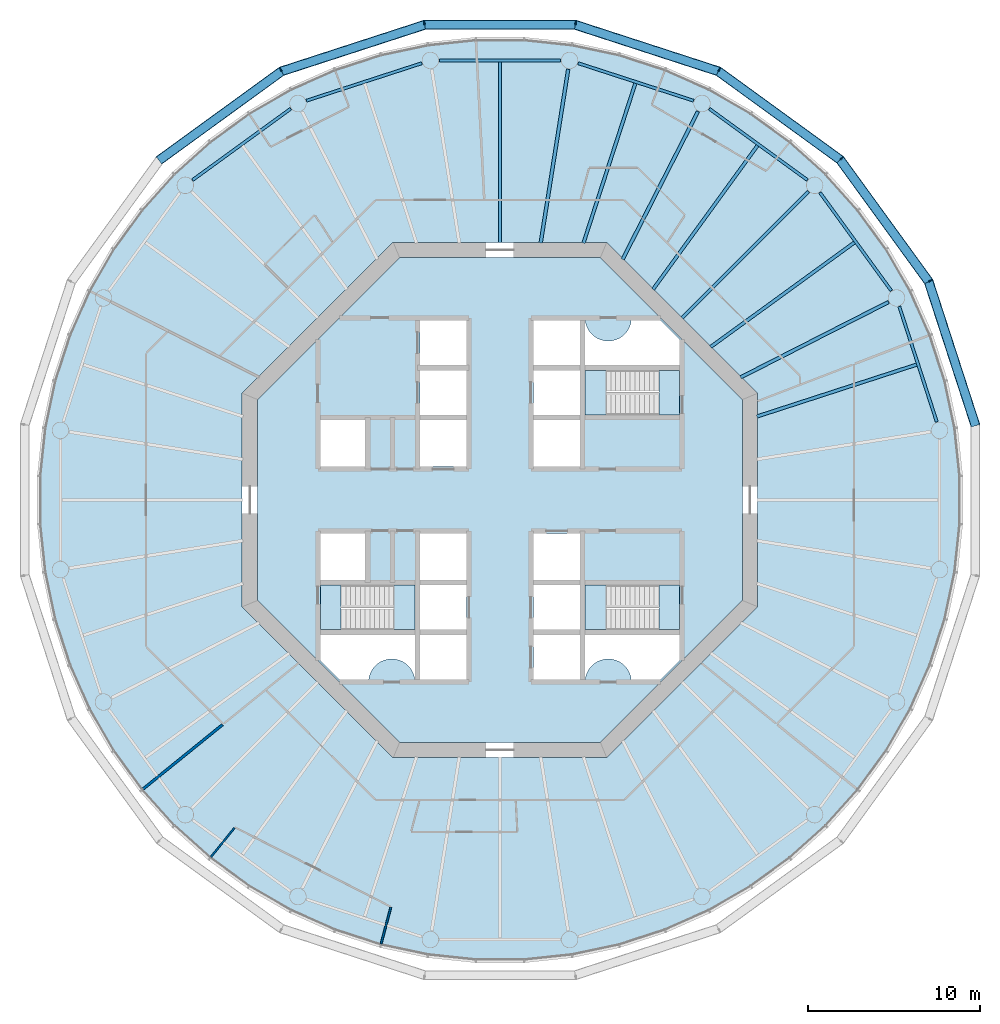
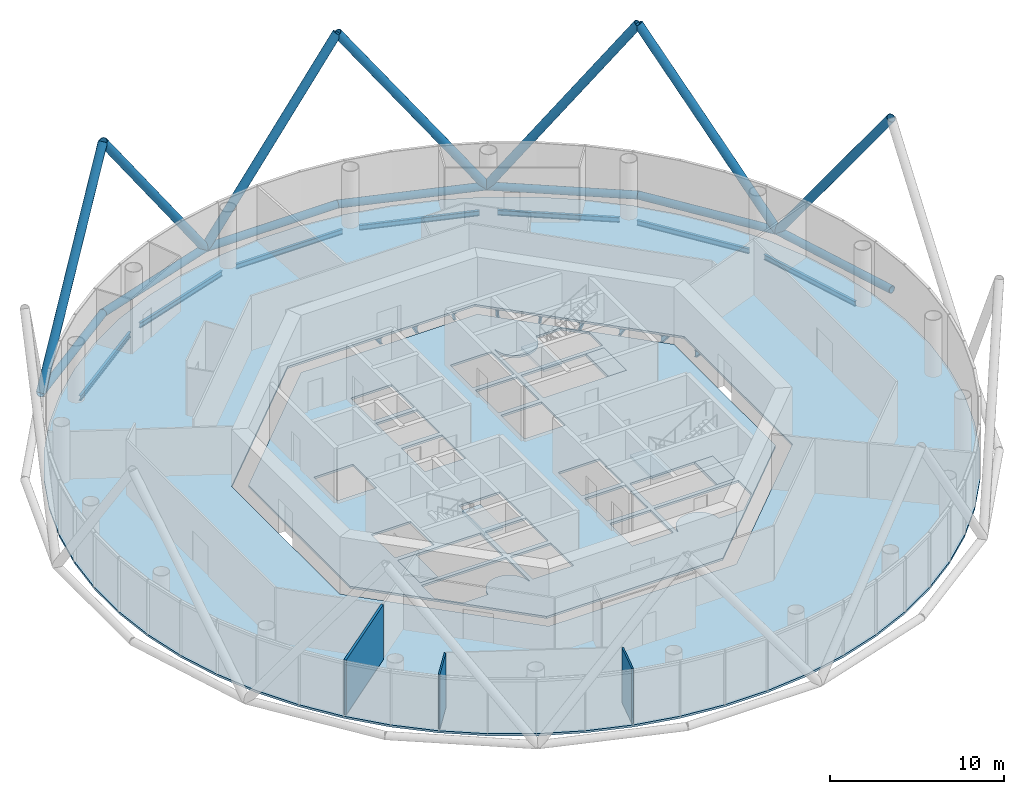
# One storey, part 2 of 12: 16 beams, 14 members, 8 slabs, 3 walls, 3 elements without a shape of their own.
"""IFC4 building model written with IfcOpenShell, lengths in metres."""

from ifc_helpers import new_model, si_unit, direction, frame, frame_2d, origin, origin_2d, place, context, subcontext, project, spatial, polyline, rectangle, circle, hollow_circle, i_section, outline, extrude, material, layer, layer_set, material_profile, profile_set, type_object, element, aggregate, save


model = new_model("IFC4")

# Units and contexts
model_context = context("Model", 3, precision=1e-05, world=origin(), true_north=direction((0.0, 1.0)))
body_context = subcontext(model_context, "Body", "Model", "MODEL_VIEW")
ifc_project = project(units=[si_unit("LENGTHUNIT", "METRE"), si_unit("AREAUNIT", "SQUARE_METRE"), si_unit("VOLUMEUNIT", "CUBIC_METRE"), si_unit("PLANEANGLEUNIT", "RADIAN"), si_unit("MASSUNIT", "GRAM", prefix="KILO")], contexts=[model_context])

# Site, building, storey
site_placement = place(None, origin())
site = spatial("IfcSite", under=ifc_project, at=site_placement, CompositionType="ELEMENT")
building_placement = place(site_placement, origin())
building = spatial("IfcBuilding", under=site, at=building_placement, Name="Entoto Ring Tower", CompositionType="ELEMENT")
storey_placement = place(building_placement, frame((0.0, 0.0, 238.0)))
storey = spatial("IfcBuildingStorey", under=building, at=storey_placement, Name="L54", CompositionType="ELEMENT", Elevation=238.0)

# Members
ifc_material_1 = material(Name="Steel S355", Category="steel")
ifc_material_profile_1 = material_profile(ifc_material_1, hollow_circle(Radius=0.279541015625, WallThickness=0.028076171875, at=origin_2d()), Name="CHS 559 x 28")
ifc_material_2 = material(Name="Concrete C60/75", Category="concrete")
ifc_material_profile_2 = material_profile(ifc_material_2, circle(Radius=0.25146484375, at=origin_2d()), Name="Concrete C60/75 infill")
ifc_profile_set_1 = profile_set([ifc_material_profile_1, ifc_material_profile_2], Name="Steel S355")
member_type_1 = type_object("IfcMemberType", Name="Diagrid diagonal 559 x 28 concrete-filled tube", PredefinedType="BRACE", material=ifc_profile_set_1)
for number, where, z_axis, x_axis, name in (
    (1, (114.9482421875, 92.711669921875, 0.0), (0.182200752594, -0.56076685453, 0.807677795049), (0.95105823263, 0.309011711991, 0.0), "DG5A module 18 01"),
    (2, (114.9482421875, 92.711669921875, 0.0), (-0.346570479178, 0.477025319356, 0.807673045022), (-0.809024012567, -0.587775592458, 0.0), "DG5A module 18 02"),
    (3, (102.711669921875, 104.9482421875, 0.0), (0.477025319356, -0.346570479178, 0.807673045022), (0.587775592458, 0.809024012567, 0.0), "DG5A module 18 03"),
    (4, (102.711669921875, 104.9482421875, 0.0), (-0.56076685453, 0.182200752594, 0.807677795049), (-0.309011711991, -0.95105823263, 0.0), "DG5A module 18 04"),
    (5, (85.619873046875, 107.6552734375, 0.0), (0.589622651769, 0.0, 0.807678852342), (0.0, 1.0, 0.0), "DG5A module 18 05"),
    (6, (85.619873046875, 107.6552734375, 0.0), (-0.56076685453, -0.182200752594, 0.807677795049), (0.309011711991, -0.95105823263, 0.0), "DG5A module 18 06"),
    (7, (70.200927734375, 99.799072265625, 0.0), (0.477025319356, 0.346570479178, 0.807673045022), (-0.587775592458, 0.809024012567, 0.0), "DG5A module 18 07"),
):
    element("IfcMember", number, at=place(storey_placement, frame(where, z_axis=z_axis, x_axis=x_axis)), inside=storey, type_object=member_type_1, Name=name, PredefinedType="BRACE", context=body_context, shape_type="SweptSolid", body=[
        extrude(hollow_circle(Radius=0.279541015625, WallThickness=0.028076171875, at=origin_2d()), origin(), (0.0, 0.0, 1.0), 14.857421875),
    ])
ifc_material_3 = material(Name="Steel S355", Category="steel")
ifc_material_profile_3 = material_profile(ifc_material_3, hollow_circle(Radius=0.25390625, WallThickness=0.030029296875, at=origin_2d()), Name="CHS 508 x 30")
ifc_material_4 = material(Name="Concrete C60/75", Category="concrete")
ifc_material_profile_4 = material_profile(ifc_material_4, circle(Radius=0.22412109375, at=origin_2d()), Name="Concrete C60/75 infill")
ifc_profile_set_2 = profile_set([ifc_material_profile_3, ifc_material_profile_4], Name="Steel S355")
member_type_2 = type_object("IfcMemberType", Name="Diagrid ring beam 508 x 30", PredefinedType="CHORD", material=ifc_profile_set_2)
for number, where, z_axis, x_axis, name in (
    (8, (114.983642578125, 92.6630859375, 0.0), (-0.587790766961, 0.809012987705, 0.0), (-0.809012987705, -0.587790766961, 0.0), "DR2 ring 17 01"),
    (9, (109.84765625, 99.763671875, 0.0), (-0.809012987705, 0.587790766961, 0.0), (-0.587790766961, -0.809012987705, 0.0), "DR2 ring 17 02"),
    (10, (102.76904296875, 104.9296875, 0.0), (-0.951061338755, 0.309002151976, 0.0), (-0.309002151976, -0.951061338755, 0.0), "DR2 ring 17 03"),
):
    element("IfcMember", number, at=place(storey_placement, frame(where, z_axis=z_axis, x_axis=x_axis)), inside=storey, type_object=member_type_2, Name=name, PredefinedType="CHORD", context=body_context, shape_type="SweptSolid", body=[
        extrude(hollow_circle(Radius=0.25390625, WallThickness=0.030029296875, at=origin_2d()), origin(), (0.0, 0.0, 1.0), 8.880615234375),
    ])
member_placement = place(storey_placement, frame((94.4404296875, 107.6552734375, 0.0), z_axis=(-1.0, 0.0, 0.0), x_axis=(0.0, -1.0, 0.0)))
element("IfcMember", 11, at=member_placement, inside=storey, type_object=member_type_2, Name="DR2 ring 17 04", PredefinedType="CHORD", context=body_context, shape_type="SweptSolid", body=[
    extrude(hollow_circle(Radius=0.25390625, WallThickness=0.030029296875, at=origin_2d()), origin(), (0.0, 0.0, 1.0), 8.880859375),
])
for number, where, z_axis, x_axis, name in (
    (12, (85.677001953125, 107.673828125, 0.0), (-0.951061338755, -0.309002151976, 0.0), (0.309002151976, -0.951061338755, 0.0), "DR2 ring 17 05"),
    (13, (77.3369140625, 104.983642578125, 0.0), (-0.809012987705, -0.587790766961, 0.0), (0.587790766961, -0.809012987705, 0.0), "DR2 ring 17 06"),
    (14, (117.673828125, 84.322998046875, 0.0), (-0.309002151976, 0.951061338755, 0.0), (-0.951061338755, -0.309002151976, 0.0), "DR2 ring 17 20"),
):
    element("IfcMember", number, at=place(storey_placement, frame(where, z_axis=z_axis, x_axis=x_axis)), inside=storey, type_object=member_type_2, Name=name, PredefinedType="CHORD", context=body_context, shape_type="SweptSolid", body=[
        extrude(hollow_circle(Radius=0.25390625, WallThickness=0.030029296875, at=origin_2d()), origin(), (0.0, 0.0, 1.0), 8.880615234375),
    ])

# Beams
ifc_material_5 = material(Name="Steel S355", Category="steel")
ifc_material_profile_5 = material_profile(ifc_material_5, i_section(OverallWidth=0.169921875, OverallDepth=0.360107421875, WebThickness=0.008056640625, FlangeThickness=0.0126953125, FilletRadius=0.01806640625, at=origin_2d()), Name="IPE 360")
ifc_profile_set_3 = profile_set([ifc_material_profile_5], Name="Steel S355")
beam_type_1 = type_object("IfcBeamType", Name="Edge beam IPE 360", PredefinedType="SPANDREL", material=ifc_profile_set_3)
for number, where, z_axis, x_axis, name in (
    (15, (115.41943359375, 84.54931640625, -0.330078125), (-0.309015666013, 0.951056947905, 0.0), (-0.951056947905, -0.309015666013, 0.0), "Edge beam L54 01"),
    (16, (112.76953125, 92.181640625, -0.330078125), (-0.587797242693, 0.809008282703, 0.0), (-0.809008282703, -0.587797242693, 0.0), "Edge beam L54 02"),
    (17, (107.890625, 98.62158203125, -0.330078125), (-0.809008282703, 0.587797242693, 0.0), (-0.587797242693, -0.809008282703, 0.0), "Edge beam L54 03"),
    (18, (101.2607421875, 103.23876953125, -0.330078125), (-0.951056947905, 0.309015666013, 0.0), (-0.309015666013, -0.951056947905, 0.0), "Edge beam L54 04"),
):
    element("IfcBeam", number, at=place(storey_placement, frame(where, z_axis=z_axis, x_axis=x_axis)), inside=storey, type_object=beam_type_1, Name=name, PredefinedType="SPANDREL", context=body_context, shape_type="SweptSolid", body=[
        extrude(i_section(OverallWidth=0.169921875, OverallDepth=0.360107421875, WebThickness=0.008056640625, FlangeThickness=0.0126953125, FilletRadius=0.01806640625, at=origin_2d()), origin(), (0.0, 0.0, 1.0), 7.056884765625),
    ])
beam_1_placement = place(storey_placement, frame((93.5283203125, 105.5810546875, -0.330078125), z_axis=(-1.0, 0.0, 0.0), x_axis=(0.0, -1.0, 0.0)))
element("IfcBeam", 19, at=beam_1_placement, inside=storey, type_object=beam_type_1, Name="Edge beam L54 05", PredefinedType="SPANDREL", context=body_context, shape_type="SweptSolid", body=[
    extrude(i_section(OverallWidth=0.169921875, OverallDepth=0.360107421875, WebThickness=0.008056640625, FlangeThickness=0.0126953125, FilletRadius=0.01806640625, at=origin_2d()), origin(), (0.0, 0.0, 1.0), 7.056640625),
])
for number, where, z_axis, x_axis, name in (
    (20, (85.45068359375, 105.41943359375, -0.330078125), (-0.951056947905, -0.309015666013, 0.0), (0.309015666013, -0.951056947905, 0.0), "Edge beam L54 06"),
    (21, (77.818359375, 102.76953125, -0.330078125), (-0.809008282703, -0.587797242693, 0.0), (0.587797242693, -0.809008282703, 0.0), "Edge beam L54 07"),
):
    element("IfcBeam", number, at=place(storey_placement, frame(where, z_axis=z_axis, x_axis=x_axis)), inside=storey, type_object=beam_type_1, Name=name, PredefinedType="SPANDREL", context=body_context, shape_type="SweptSolid", body=[
        extrude(i_section(OverallWidth=0.169921875, OverallDepth=0.360107421875, WebThickness=0.008056640625, FlangeThickness=0.0126953125, FilletRadius=0.01806640625, at=origin_2d()), origin(), (0.0, 0.0, 1.0), 7.056884765625),
    ])
ifc_material_6 = material(Name="Steel S355", Category="steel")
ifc_material_profile_6 = material_profile(ifc_material_6, i_section(OverallWidth=0.199951171875, OverallDepth=0.5, WebThickness=0.01025390625, FlangeThickness=0.01611328125, FilletRadius=0.02099609375, at=origin_2d()), Name="IPE 500")
ifc_profile_set_4 = profile_set([ifc_material_profile_6], Name="Steel S355")
beam_type_2 = type_object("IfcBeamType", Name="Primary floor beam IPE 500", PredefinedType="BEAM", material=ifc_profile_set_4)
beam_2_placement = place(storey_placement, frame((104.006103515625, 87.136474609375, -0.39990234375), z_axis=(0.891004583726, 0.453994308092, 0.0), x_axis=(-0.453994308092, 0.891004583726, 0.0)))
element("IfcBeam", 22, at=beam_2_placement, inside=storey, type_object=beam_type_2, Name="Primary L54 R02", PredefinedType="BEAM", context=body_context, shape_type="SweptSolid", body=[
    extrude(i_section(OverallWidth=0.199951171875, OverallDepth=0.5, WebThickness=0.01025390625, FlangeThickness=0.01611328125, FilletRadius=0.02099609375, at=origin_2d()), origin(), (0.0, 0.0, 1.0), 9.659912109375),
])
beam_3_placement = place(storey_placement, frame((100.592529296875, 90.592529296875, -0.39990234375), z_axis=(0.707106781187, 0.707106781187, 0.0), x_axis=(-0.707106781187, 0.707106781187, 0.0)))
element("IfcBeam", 23, at=beam_3_placement, inside=storey, type_object=beam_type_2, Name="Primary L54 R03", PredefinedType="BEAM", context=body_context, shape_type="SweptSolid", body=[
    extrude(i_section(OverallWidth=0.199951171875, OverallDepth=0.5, WebThickness=0.01025390625, FlangeThickness=0.01611328125, FilletRadius=0.02099609375, at=origin_2d()), origin(), (0.0, 0.0, 1.0), 10.399169921875),
])
beam_4_placement = place(storey_placement, frame((97.136474609375, 94.006103515625, -0.39990234375), z_axis=(0.453994308092, 0.891004583726, 0.0), x_axis=(-0.891004583726, 0.453994308092, 0.0)))
element("IfcBeam", 24, at=beam_4_placement, inside=storey, type_object=beam_type_2, Name="Primary L54 R04", PredefinedType="BEAM", context=body_context, shape_type="SweptSolid", body=[
    extrude(i_section(OverallWidth=0.199951171875, OverallDepth=0.5, WebThickness=0.01025390625, FlangeThickness=0.01611328125, FilletRadius=0.02099609375, at=origin_2d()), origin(), (0.0, 0.0, 1.0), 9.659912109375),
])
beam_5_placement = place(storey_placement, frame((92.3701171875, 94.964599609375, -0.39990234375), z_axis=(0.156439360602, 0.987687565202, 0.0), x_axis=(-0.987687565202, 0.156439360602, 0.0)))
element("IfcBeam", 25, at=beam_5_placement, inside=storey, type_object=beam_type_2, Name="Primary L54 R05", PredefinedType="BEAM", context=body_context, shape_type="SweptSolid", body=[
    extrude(i_section(OverallWidth=0.199951171875, OverallDepth=0.5, WebThickness=0.01025390625, FlangeThickness=0.01611328125, FilletRadius=0.02099609375, at=origin_2d()), origin(), (0.0, 0.0, 1.0), 10.228271484375),
])
ifc_material_7 = material(Name="Steel S355", Category="steel")
ifc_material_profile_7 = material_profile(ifc_material_7, i_section(OverallWidth=0.18994140625, OverallDepth=0.449951171875, WebThickness=0.009521484375, FlangeThickness=0.0146484375, FilletRadius=0.02099609375, at=origin_2d()), Name="IPE 450")
ifc_profile_set_5 = profile_set([ifc_material_profile_7], Name="Steel S355")
beam_type_3 = type_object("IfcBeamType", Name="Secondary floor beam IPE 450", PredefinedType="JOIST", material=ifc_profile_set_5)
beam_6_placement = place(storey_placement, frame((104.95166015625, 84.858154296875, -0.375), z_axis=(0.951061045963, 0.309003053144, 0.0), x_axis=(-0.309003053144, 0.951061045963, 0.0)))
element("IfcBeam", 26, at=beam_6_placement, inside=storey, type_object=beam_type_3, Name="Secondary beam L54 01", PredefinedType="JOIST", context=body_context, shape_type="SweptSolid", body=[
    extrude(i_section(OverallWidth=0.18994140625, OverallDepth=0.449951171875, WebThickness=0.009521484375, FlangeThickness=0.0146484375, FilletRadius=0.02099609375, at=origin_2d()), origin(), (0.0, 0.0, 1.0), 9.77490234375),
])
for number, where, z_axis, x_axis, name in (
    (27, (102.258056640625, 88.906005859375, -0.375), (0.809010538485, 0.58779413796, 0.0), (-0.58779413796, 0.809010538485, 0.0), "Secondary beam L54 02"),
    (28, (98.906005859375, 92.258056640625, -0.375), (0.58779413796, 0.809010538485, 0.0), (-0.809010538485, 0.58779413796, 0.0), "Secondary beam L54 03"),
):
    element("IfcBeam", number, at=place(storey_placement, frame(where, z_axis=z_axis, x_axis=x_axis)), inside=storey, type_object=beam_type_3, Name=name, PredefinedType="JOIST", context=body_context, shape_type="SweptSolid", body=[
        extrude(i_section(OverallWidth=0.18994140625, OverallDepth=0.449951171875, WebThickness=0.009521484375, FlangeThickness=0.0146484375, FilletRadius=0.02099609375, at=origin_2d()), origin(), (0.0, 0.0, 1.0), 10.34423828125),
    ])
beam_7_placement = place(storey_placement, frame((94.858154296875, 94.95166015625, -0.375), z_axis=(0.309003053144, 0.951061045963, 0.0), x_axis=(-0.951061045963, 0.309003053144, 0.0)))
element("IfcBeam", 29, at=beam_7_placement, inside=storey, type_object=beam_type_3, Name="Secondary beam L54 04", PredefinedType="JOIST", context=body_context, shape_type="SweptSolid", body=[
    extrude(i_section(OverallWidth=0.18994140625, OverallDepth=0.449951171875, WebThickness=0.009521484375, FlangeThickness=0.0146484375, FilletRadius=0.02099609375, at=origin_2d()), origin(), (0.0, 0.0, 1.0), 9.77490234375),
])
beam_8_placement = place(storey_placement, frame((90.0, 94.97998046875, -0.375), z_axis=(0.0, 1.0, 0.0), x_axis=(-1.0, 0.0, 0.0)))
element("IfcBeam", 30, at=beam_8_placement, inside=storey, type_object=beam_type_3, Name="Secondary beam L54 05", PredefinedType="JOIST", context=body_context, shape_type="SweptSolid", body=[
    extrude(i_section(OverallWidth=0.18994140625, OverallDepth=0.449951171875, WebThickness=0.009521484375, FlangeThickness=0.0146484375, FilletRadius=0.02099609375, at=origin_2d()), origin(), (0.0, 0.0, 1.0), 10.51611328125),
])

# Slabs
ifc_material_8 = material(Name="Concrete C30/37", Category="concrete")
ifc_layer_1 = layer(ifc_material_8, 0.14990234375)
ifc_layer_set_1 = layer_set([ifc_layer_1], Name="Concrete C30/37")
slab_type_1 = type_object("IfcSlabType", Name="Composite floor slab 150 mm", PredefinedType="FLOOR", material=ifc_layer_set_1)
slab_1_placement = place(storey_placement, frame((0.0, 0.0, -0.14990234375)))
element("IfcSlab", 31, at=slab_1_placement, inside=storey, type_object=slab_type_1, Name="Floor slab L54", PredefinedType="FLOOR", context=body_context, shape_type="SweptSolid", body=[
    extrude(outline(polyline([(116.56884765625, 84.2080078125), (115.9833984375, 86.962158203125), (115.11328125, 89.64013671875), (113.968017578125, 92.21240234375), (112.560302734375, 94.65087890625), (110.9052734375, 96.9287109375), (109.021240234375, 99.021240234375), (106.9287109375, 100.9052734375), (104.65087890625, 102.560302734375), (102.21240234375, 103.968017578125), (99.64013671875, 105.11328125), (96.962158203125, 105.9833984375), (94.2080078125, 106.56884765625), (91.407958984375, 106.863037109375), (88.592041015625, 106.863037109375), (85.7919921875, 106.56884765625), (83.037841796875, 105.9833984375), (80.35986328125, 105.11328125), (77.78759765625, 103.968017578125), (75.34912109375, 102.560302734375), (73.0712890625, 100.9052734375), (70.978759765625, 99.021240234375), (69.0947265625, 96.9287109375), (67.439697265625, 94.65087890625), (66.031982421875, 92.21240234375), (64.88671875, 89.64013671875), (64.0166015625, 86.962158203125), (63.43115234375, 84.2080078125), (63.136962890625, 81.407958984375), (63.136962890625, 78.592041015625), (63.43115234375, 75.7919921875), (64.0166015625, 73.037841796875), (64.88671875, 70.35986328125), (66.031982421875, 67.78759765625), (67.439697265625, 65.34912109375), (69.0947265625, 63.0712890625), (70.978759765625, 60.978759765625), (73.0712890625, 59.0947265625), (75.34912109375, 57.439697265625), (77.78759765625, 56.031982421875), (80.35986328125, 54.88671875), (83.037841796875, 54.0166015625), (85.7919921875, 53.43115234375), (88.592041015625, 53.136962890625), (91.407958984375, 53.136962890625), (94.2080078125, 53.43115234375), (96.962158203125, 54.0166015625), (99.64013671875, 54.88671875), (102.21240234375, 56.031982421875), (104.65087890625, 57.439697265625), (106.9287109375, 59.0947265625), (109.021240234375, 60.978759765625), (110.9052734375, 63.0712890625), (112.560302734375, 65.34912109375), (113.968017578125, 67.78759765625), (115.11328125, 70.35986328125), (115.9833984375, 73.037841796875), (116.56884765625, 75.7919921875), (116.863037109375, 78.592041015625), (116.863037109375, 81.407958984375), (116.56884765625, 84.2080078125)]), holes=[polyline([(105.0, 73.786865234375), (105.0, 86.213134765625), (96.213134765625, 95.0), (83.786865234375, 95.0), (75.0, 86.213134765625), (75.0, 73.786865234375), (83.786865234375, 65.0), (96.213134765625, 65.0), (105.0, 73.786865234375)])]), origin(), (0.0, 0.0, 1.0), 0.14990234375),
])
ifc_material_9 = material(Name="Concrete C40/50", Category="concrete")
ifc_layer_2 = layer(ifc_material_9, 0.14990234375)
ifc_layer_set_2 = layer_set([ifc_layer_2], Name="Concrete C40/50")
slab_type_2 = type_object("IfcSlabType", Name="Core floor slab 150 mm reinforced concrete C40/50", PredefinedType="FLOOR", material=ifc_layer_set_2)
slab_2_placement = place(storey_placement, frame((0.0, 0.0, -0.14990234375)))
element("IfcSlab", 32, at=slab_2_placement, inside=storey, type_object=slab_type_2, Name="Core floor L54", PredefinedType="FLOOR", context=body_context, shape_type="SweptSolid", body=[
    extrude(outline(polyline([(104.10009765625, 74.15966796875), (104.10009765625, 85.84033203125), (95.84033203125, 94.10009765625), (84.15966796875, 94.10009765625), (75.89990234375, 85.84033203125), (75.89990234375, 74.15966796875), (84.15966796875, 65.89990234375), (95.84033203125, 65.89990234375), (104.10009765625, 74.15966796875)]), holes=[polyline([(100.449951171875, 84.949951171875), (100.449951171875, 87.550048828125), (94.949951171875, 87.550048828125), (94.949951171875, 84.949951171875), (100.449951171875, 84.949951171875)]), polyline([(85.050048828125, 72.449951171875), (85.050048828125, 75.050048828125), (79.550048828125, 75.050048828125), (79.550048828125, 72.449951171875), (85.050048828125, 72.449951171875)]), polyline([(100.449951171875, 72.449951171875), (100.449951171875, 75.050048828125), (94.949951171875, 75.050048828125), (94.949951171875, 72.449951171875), (100.449951171875, 72.449951171875)]), polyline([(91.949951171875, 84.949951171875), (94.64990234375, 84.949951171875), (94.64990234375, 87.550048828125), (91.949951171875, 87.550048828125), (91.949951171875, 84.949951171875)]), polyline([(91.949951171875, 72.449951171875), (94.64990234375, 72.449951171875), (94.64990234375, 75.050048828125), (91.949951171875, 75.050048828125), (91.949951171875, 72.449951171875)]), polyline([(91.949951171875, 69.550048828125), (94.64990234375, 69.550048828125), (94.64990234375, 72.14990234375), (91.949951171875, 72.14990234375), (91.949951171875, 69.550048828125)]), polyline([(85.35009765625, 72.449951171875), (88.050048828125, 72.449951171875), (88.050048828125, 75.050048828125), (85.35009765625, 75.050048828125), (85.35009765625, 72.449951171875)]), polyline([(85.35009765625, 81.949951171875), (88.050048828125, 81.949951171875), (88.050048828125, 84.64990234375), (85.35009765625, 84.64990234375), (85.35009765625, 81.949951171875)]), polyline([(91.949951171875, 75.35009765625), (94.64990234375, 75.35009765625), (94.64990234375, 78.050048828125), (91.949951171875, 78.050048828125), (91.949951171875, 75.35009765625)]), polyline([(79.550048828125, 81.949951171875), (82.14990234375, 81.949951171875), (82.14990234375, 84.64990234375), (79.550048828125, 84.64990234375), (79.550048828125, 81.949951171875)]), polyline([(79.550048828125, 75.35009765625), (82.14990234375, 75.35009765625), (82.14990234375, 78.050048828125), (79.550048828125, 78.050048828125), (79.550048828125, 75.35009765625)]), polyline([(91.949951171875, 87.85009765625), (94.64990234375, 87.85009765625), (94.64990234375, 90.449951171875), (91.949951171875, 90.449951171875), (91.949951171875, 87.85009765625)]), polyline([(85.35009765625, 69.550048828125), (88.050048828125, 69.550048828125), (88.050048828125, 72.14990234375), (85.35009765625, 72.14990234375), (85.35009765625, 69.550048828125)]), polyline([(91.949951171875, 81.949951171875), (94.64990234375, 81.949951171875), (94.64990234375, 84.64990234375), (91.949951171875, 84.64990234375), (91.949951171875, 81.949951171875)]), polyline([(85.35009765625, 75.35009765625), (88.050048828125, 75.35009765625), (88.050048828125, 78.050048828125), (85.35009765625, 78.050048828125), (85.35009765625, 75.35009765625)]), polyline([(85.35009765625, 84.949951171875), (88.050048828125, 84.949951171875), (88.050048828125, 87.550048828125), (85.35009765625, 87.550048828125), (85.35009765625, 84.949951171875)]), polyline([(85.35009765625, 87.85009765625), (88.050048828125, 87.85009765625), (88.050048828125, 90.449951171875), (85.35009765625, 90.449951171875), (85.35009765625, 87.85009765625)]), polyline([(94.89990234375, 90.5), (94.89990234375, 87.800048828125), (100.5, 87.800048828125), (100.5, 89.299072265625), (99.299072265625, 90.5), (97.64501953125, 90.5), (97.6435546875, 90.4677734375), (97.6240234375, 90.336669921875), (97.591796875, 90.2080078125), (97.547119140625, 90.08349609375), (97.490478515625, 89.963623046875), (97.422607421875, 89.85009765625), (97.343505859375, 89.74365234375), (97.254638671875, 89.6455078125), (97.156494140625, 89.556396484375), (97.050048828125, 89.4775390625), (96.936279296875, 89.409423828125), (96.816650390625, 89.352783203125), (96.69189453125, 89.30810546875), (96.5634765625, 89.27587890625), (96.432373046875, 89.256591796875), (96.300048828125, 89.25), (96.167724609375, 89.256591796875), (96.03662109375, 89.27587890625), (95.908203125, 89.30810546875), (95.783447265625, 89.352783203125), (95.66357421875, 89.409423828125), (95.550048828125, 89.4775390625), (95.443603515625, 89.556396484375), (95.345458984375, 89.6455078125), (95.25634765625, 89.74365234375), (95.177490234375, 89.85009765625), (95.109375, 89.963623046875), (95.052734375, 90.08349609375), (95.008056640625, 90.2080078125), (94.975830078125, 90.336669921875), (94.95654296875, 90.4677734375), (94.954833984375, 90.5), (94.89990234375, 90.5)]), polyline([(79.5, 70.700927734375), (80.700927734375, 69.5), (82.35498046875, 69.5), (82.3564453125, 69.5322265625), (82.3759765625, 69.663330078125), (82.408203125, 69.7919921875), (82.452880859375, 69.91650390625), (82.509521484375, 70.036376953125), (82.577392578125, 70.14990234375), (82.656494140625, 70.25634765625), (82.745361328125, 70.3544921875), (82.843505859375, 70.443603515625), (82.949951171875, 70.5224609375), (83.063720703125, 70.590576171875), (83.183349609375, 70.647216796875), (83.30810546875, 70.69189453125), (83.4365234375, 70.72412109375), (83.567626953125, 70.743408203125), (83.699951171875, 70.75), (83.832275390625, 70.743408203125), (83.96337890625, 70.72412109375), (84.091796875, 70.69189453125), (84.216552734375, 70.647216796875), (84.33642578125, 70.590576171875), (84.449951171875, 70.5224609375), (84.556396484375, 70.443603515625), (84.654541015625, 70.3544921875), (84.74365234375, 70.25634765625), (84.822509765625, 70.14990234375), (84.890625, 70.036376953125), (84.947265625, 69.91650390625), (84.991943359375, 69.7919921875), (85.024169921875, 69.663330078125), (85.04345703125, 69.5322265625), (85.045166015625, 69.5), (85.10009765625, 69.5), (85.10009765625, 72.199951171875), (79.5, 72.199951171875), (79.5, 70.700927734375)]), polyline([(97.64501953125, 69.5), (99.299072265625, 69.5), (100.5, 70.700927734375), (100.5, 72.199951171875), (94.89990234375, 72.199951171875), (94.89990234375, 69.5), (94.954833984375, 69.5), (94.95654296875, 69.5322265625), (94.975830078125, 69.663330078125), (95.008056640625, 69.7919921875), (95.052734375, 69.91650390625), (95.109375, 70.036376953125), (95.177490234375, 70.14990234375), (95.25634765625, 70.25634765625), (95.345458984375, 70.3544921875), (95.443603515625, 70.443603515625), (95.550048828125, 70.5224609375), (95.66357421875, 70.590576171875), (95.783447265625, 70.647216796875), (95.908203125, 70.69189453125), (96.03662109375, 70.72412109375), (96.167724609375, 70.743408203125), (96.300048828125, 70.75), (96.432373046875, 70.743408203125), (96.5634765625, 70.72412109375), (96.69189453125, 70.69189453125), (96.816650390625, 70.647216796875), (96.936279296875, 70.590576171875), (97.050048828125, 70.5224609375), (97.156494140625, 70.443603515625), (97.254638671875, 70.3544921875), (97.343505859375, 70.25634765625), (97.422607421875, 70.14990234375), (97.490478515625, 70.036376953125), (97.547119140625, 69.91650390625), (97.591796875, 69.7919921875), (97.6240234375, 69.663330078125), (97.6435546875, 69.5322265625), (97.64501953125, 69.5)])]), origin(), (0.0, 0.0, 1.0), 0.14990234375),
])

# Stair, slabs
ifc_material_10 = material(Name="Concrete C40/50", Category="concrete")
stair_type = type_object("IfcStairType", Name="Exit stair 1200 mm dog-leg reinforced concrete", PredefinedType="HALF_TURN_STAIR", material=ifc_material_10)
stair_1_placement = place(storey_placement, origin())
stair_1 = element("IfcStair", 33, at=stair_1_placement, inside=storey, type_object=stair_type, Name="Exit stair 1", PredefinedType="HALF_TURN_STAIR")
ifc_material_11 = material(Name="Concrete C40/50", Category="concrete")
ifc_layer_3 = layer(ifc_material_11, 0.199951171875)
ifc_layer_set_3 = layer_set([ifc_layer_3], Name="Concrete C40/50")
slab_type_3 = type_object("IfcSlabType", Name="Stair landing 200 mm reinforced concrete", PredefinedType="LANDING", material=ifc_layer_set_3)
slab_3_placement = place(storey_placement, frame((0.0, 0.0, -0.199951171875)))
slab_3 = element("IfcSlab", 34, at=slab_3_placement, type_object=slab_type_3, Name="ST1 landing 1", PredefinedType="LANDING", context=body_context, shape_type="SweptSolid", body=[
    extrude(outline(polyline([(100.449951171875, 84.949951171875), (100.449951171875, 87.550048828125), (99.25, 87.550048828125), (99.25, 84.949951171875), (100.449951171875, 84.949951171875)])), origin(), (0.0, 0.0, 1.0), 0.199951171875),
])
slab_4_placement = place(storey_placement, frame((0.0, 0.0, 1.800048828125)))
slab_4 = element("IfcSlab", 35, at=slab_4_placement, type_object=slab_type_3, Name="ST1 landing 2", PredefinedType="LANDING", context=body_context, shape_type="SweptSolid", body=[
    extrude(outline(polyline([(94.949951171875, 84.949951171875), (96.169921875, 84.949951171875), (96.169921875, 87.550048828125), (94.949951171875, 87.550048828125), (94.949951171875, 84.949951171875)])), origin(), (0.0, 0.0, 1.0), 0.199951171875),
])
aggregate(stair_1, [slab_3, slab_4])

stair_2_placement = place(storey_placement, origin())
stair_2 = element("IfcStair", 36, at=stair_2_placement, inside=storey, type_object=stair_type, Name="Exit stair 2", PredefinedType="HALF_TURN_STAIR")
slab_5_placement = place(storey_placement, frame((0.0, 0.0, -0.199951171875)))
slab_5 = element("IfcSlab", 37, at=slab_5_placement, type_object=slab_type_3, Name="ST2 landing 1", PredefinedType="LANDING", context=body_context, shape_type="SweptSolid", body=[
    extrude(outline(polyline([(80.75, 72.449951171875), (80.75, 75.050048828125), (79.550048828125, 75.050048828125), (79.550048828125, 72.449951171875), (80.75, 72.449951171875)])), origin(), (0.0, 0.0, 1.0), 0.199951171875),
])
slab_6_placement = place(storey_placement, frame((0.0, 0.0, 1.800048828125)))
slab_6 = element("IfcSlab", 38, at=slab_6_placement, type_object=slab_type_3, Name="ST2 landing 2", PredefinedType="LANDING", context=body_context, shape_type="SweptSolid", body=[
    extrude(outline(polyline([(83.830078125, 72.449951171875), (85.050048828125, 72.449951171875), (85.050048828125, 75.050048828125), (83.830078125, 75.050048828125), (83.830078125, 72.449951171875)])), origin(), (0.0, 0.0, 1.0), 0.199951171875),
])
aggregate(stair_2, [slab_5, slab_6])

stair_3_placement = place(storey_placement, origin())
stair_3 = element("IfcStair", 39, at=stair_3_placement, inside=storey, type_object=stair_type, Name="Exit stair 3", PredefinedType="HALF_TURN_STAIR")
slab_7_placement = place(storey_placement, frame((0.0, 0.0, -0.199951171875)))
slab_7 = element("IfcSlab", 40, at=slab_7_placement, type_object=slab_type_3, Name="ST3 landing 1", PredefinedType="LANDING", context=body_context, shape_type="SweptSolid", body=[
    extrude(outline(polyline([(100.449951171875, 72.449951171875), (100.449951171875, 75.050048828125), (99.25, 75.050048828125), (99.25, 72.449951171875), (100.449951171875, 72.449951171875)])), origin(), (0.0, 0.0, 1.0), 0.199951171875),
])
slab_8_placement = place(storey_placement, frame((0.0, 0.0, 1.800048828125)))
slab_8 = element("IfcSlab", 41, at=slab_8_placement, type_object=slab_type_3, Name="ST3 landing 2", PredefinedType="LANDING", context=body_context, shape_type="SweptSolid", body=[
    extrude(outline(polyline([(94.949951171875, 72.449951171875), (96.169921875, 72.449951171875), (96.169921875, 75.050048828125), (94.949951171875, 75.050048828125), (94.949951171875, 72.449951171875)])), origin(), (0.0, 0.0, 1.0), 0.199951171875),
])
aggregate(stair_3, [slab_7, slab_8])

# Walls
ifc_material_12 = material(Name="Plasterboard on steel studs", Category="steel")
ifc_layer_4 = layer(ifc_material_12, 0.10009765625)
ifc_layer_set_4 = layer_set([ifc_layer_4], Name="Plasterboard on steel studs")
wall_type_1 = type_object("IfcWallType", Name="Partition 100 mm plasterboard on steel studs", PredefinedType="PARTITIONING", material=ifc_layer_set_4)
for number, where, z_axis, x_axis, name in (
    (42, (83.0791015625, 54.171142578125, 0.0), (0.0, 0.0, 1.0), (0.258881540946, 0.965909078411, 0.0), "partition-L54-030"),
    (43, (73.172119140625, 59.218994140625, 0.0), (0.0, 0.0, 1.0), (0.629243304322, 0.777208378729, 0.0), "partition-L54-032"),
):
    element("IfcWall", number, at=place(storey_placement, frame(where, z_axis=z_axis, x_axis=x_axis)), inside=storey, type_object=wall_type_1, Name=name, PredefinedType="PARTITIONING", context=body_context, shape_type="SweptSolid", body=[
        extrude(rectangle(XDim=2.181396484375, YDim=0.10009765625, at=frame_2d((1.0908203125, 0.0))), origin(), (0.0, 0.0, 1.0), 3.85009765625),
    ])
ifc_material_13 = material(Name="Fire-resisting acoustic plasterboard on steel studs", Category="steel")
ifc_layer_5 = layer(ifc_material_13, 0.14990234375)
ifc_layer_set_5 = layer_set([ifc_layer_5], Name="Fire-resisting acoustic plasterboard on steel studs")
wall_type_2 = type_object("IfcWallType", Name="Party wall 150 mm one-hour acoustic plasterboard on steel studs", PredefinedType="PARTITIONING", material=ifc_layer_set_5)
wall_placement = place(storey_placement, frame((69.218994140625, 63.172119140625, 0.0), z_axis=(0.0, 0.0, 1.0), x_axis=(0.777159904302, 0.62930317268, 0.0)))
element("IfcWall", 44, at=wall_placement, inside=storey, type_object=wall_type_2, Name="partition-L54-018", PredefinedType="PARTITIONING", context=body_context, shape_type="SweptSolid", body=[
    extrude(rectangle(XDim=5.955810546875, YDim=0.14990234375, at=frame_2d((2.97802734375, 0.0))), origin(), (0.0, 0.0, 1.0), 3.85009765625),
])

save(model, "model.ifc")
